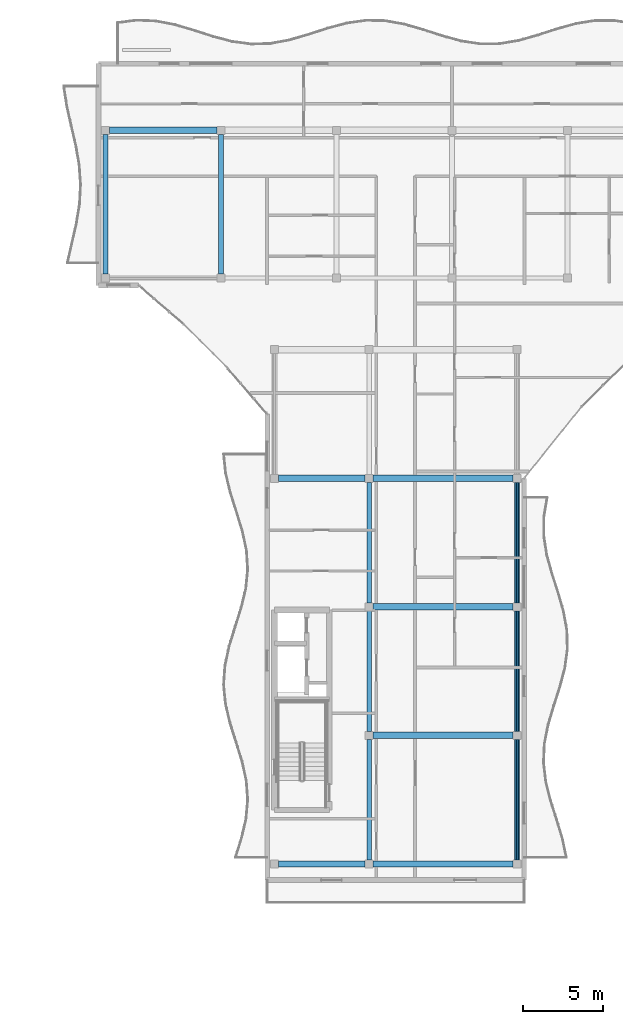
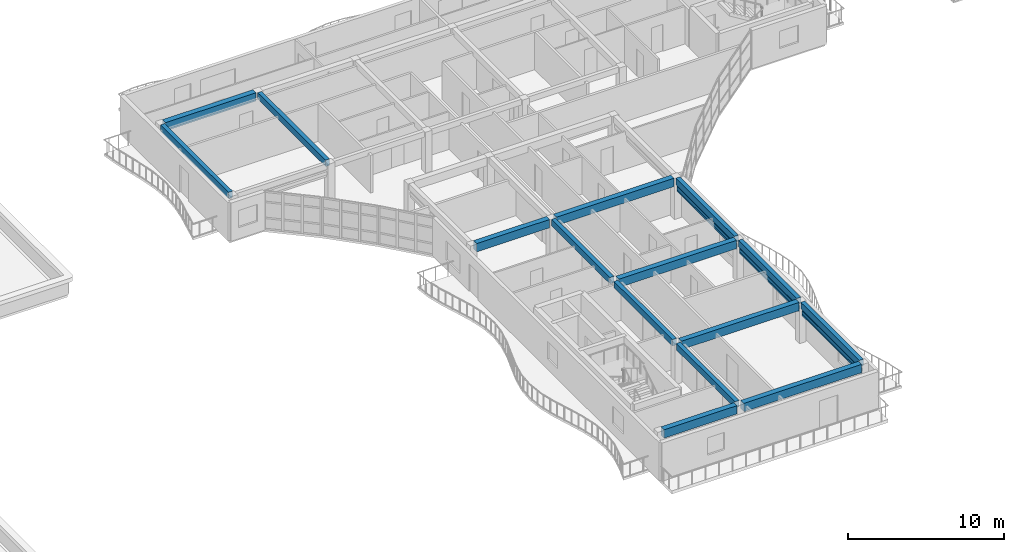
# One storey, part 4 of 39: 15 beams, 6 members.
"""IFC4 building model written with IfcOpenShell, lengths in metres."""

from ifc_helpers import new_model, si_unit, direction, frame, origin, origin_2d, place, context, subcontext, project, spatial, rectangle, hollow_rectangle, extrude, material, material_profile, profile_set, type_object, element, save


model = new_model("IFC4")

# Units and contexts
model_context = context("Model", 3, precision=1e-05, world=origin(), true_north=direction((0.0, 1.0)))
body_context = subcontext(model_context, "Body", "Model", "MODEL_VIEW")
ifc_project = project(units=[si_unit("LENGTHUNIT", "METRE"), si_unit("AREAUNIT", "SQUARE_METRE"), si_unit("VOLUMEUNIT", "CUBIC_METRE"), si_unit("PLANEANGLEUNIT", "RADIAN"), si_unit("MASSUNIT", "GRAM", prefix="KILO")], contexts=[model_context])

# Site, building, storey
site_placement = place(None, origin())
site = spatial("IfcSite", under=ifc_project, at=site_placement, CompositionType="ELEMENT")
building_placement = place(site_placement, origin())
building = spatial("IfcBuilding", under=site, at=building_placement, Name="Keldmere Railside Commons", CompositionType="ELEMENT")
storey_placement = place(building_placement, frame((0.0, 0.0, 32.9599609375)))
storey = spatial("IfcBuildingStorey", under=building, at=storey_placement, Name="L10", CompositionType="ELEMENT", Elevation=32.9599609375)

# Members
ifc_material_1 = material(Name="Steel F-36 (S355)", Category="steel")
ifc_material_profile_1 = material_profile(ifc_material_1, hollow_rectangle(XDim=0.14990234375, YDim=0.25, WallThickness=0.010009765625, at=origin_2d()), Name="RHS-250x150x10")
ifc_profile_set_1 = profile_set([ifc_material_profile_1], Name="Steel F-36 (S355)")
member_type_1 = type_object("IfcMemberType", Name="Balcony Continuous Planted Trough RHS250x150", PredefinedType="CHORD", material=ifc_profile_set_1)
for number, where, z_axis, x_axis, name in (
    (1, (119.550048828125, 64.25, 2.4150390625), (0.0, 1.0, 0.0), (-1.0, 0.0, 0.0), "PLT-1 MEM-BPLT-0987"),
    (2, (119.550048828125, 72.25, 2.4150390625), (0.0, 1.0, 0.0), (-1.0, 0.0, 0.0), "PLT-1 MEM-BPLT-0989"),
    (3, (119.550048828125, 80.25, 2.4150390625), (0.0, 1.0, 0.0), (-1.0, 0.0, 0.0), "PLT-1 MEM-BPLT-0991"),
):
    element("IfcMember", number, at=place(storey_placement, frame(where, z_axis=z_axis, x_axis=x_axis)), inside=storey, type_object=member_type_1, Name=name, PredefinedType="CHORD", context=body_context, shape_type="SweptSolid", body=[
        extrude(hollow_rectangle(XDim=0.14990234375, YDim=0.25, WallThickness=0.010009765625, at=origin_2d()), origin(), (0.0, 0.0, 1.0), 7.5),
    ])

# Beams
ifc_material_2 = material(Name="Concrete H-30 (C30/37)", Category="concrete")
ifc_material_profile_2 = material_profile(ifc_material_2, rectangle(XDim=0.39990234375, YDim=0.64990234375, at=origin_2d()), Name="RC-400x650")
ifc_profile_set_2 = profile_set([ifc_material_profile_2], Name="Concrete H-30 (C30/37)")
beam_type_1 = type_object("IfcBeamType", Name="Residential Spine RC Girder 400x650", PredefinedType="BEAM", material=ifc_profile_set_2)
beam_1_placement = place(storey_placement, frame((104.699951171875, 64.0, 2.875), z_axis=(1.0, 0.0, 0.0), x_axis=(0.0, 1.0, 0.0)))
element("IfcBeam", 4, at=beam_1_placement, inside=storey, type_object=beam_type_1, Name="BG-3 BM-L10-2367", PredefinedType="BEAM", context=body_context, shape_type="SweptSolid", body=[
    extrude(rectangle(XDim=0.39990234375, YDim=0.64990234375, at=origin_2d()), origin(), (0.0, 0.0, 1.0), 5.400146484375),
])
for number, where, z_axis, x_axis, name in (
    (5, (110.60009765625, 64.0, 2.875), (1.0, 0.0, 0.0), (0.0, 1.0, 0.0), "BG-3 BM-L10-2368"),
    (6, (110.60009765625, 72.0, 2.875), (1.0, 0.0, 0.0), (0.0, 1.0, 0.0), "BG-3 BM-L10-2371"),
    (7, (110.60009765625, 80.0, 2.875), (1.0, 0.0, 0.0), (0.0, 1.0, 0.0), "BG-3 BM-L10-2373"),
):
    element("IfcBeam", number, at=place(storey_placement, frame(where, z_axis=z_axis, x_axis=x_axis)), inside=storey, type_object=beam_type_1, Name=name, PredefinedType="BEAM", context=body_context, shape_type="SweptSolid", body=[
        extrude(rectangle(XDim=0.39990234375, YDim=0.64990234375, at=origin_2d()), origin(), (0.0, 0.0, 1.0), 8.699951171875),
    ])
beam_2_placement = place(storey_placement, frame((104.699951171875, 88.0, 2.875), z_axis=(1.0, 0.0, 0.0), x_axis=(0.0, 1.0, 0.0)))
element("IfcBeam", 8, at=beam_2_placement, inside=storey, type_object=beam_type_1, Name="BG-3 BM-L10-2375", PredefinedType="BEAM", context=body_context, shape_type="SweptSolid", body=[
    extrude(rectangle(XDim=0.39990234375, YDim=0.64990234375, at=origin_2d()), origin(), (0.0, 0.0, 1.0), 5.400146484375),
])
beam_3_placement = place(storey_placement, frame((110.60009765625, 88.0, 2.875), z_axis=(1.0, 0.0, 0.0), x_axis=(0.0, 1.0, 0.0)))
element("IfcBeam", 9, at=beam_3_placement, inside=storey, type_object=beam_type_1, Name="BG-3 BM-L10-2376", PredefinedType="BEAM", context=body_context, shape_type="SweptSolid", body=[
    extrude(rectangle(XDim=0.39990234375, YDim=0.64990234375, at=origin_2d()), origin(), (0.0, 0.0, 1.0), 8.699951171875),
])
beam_4_placement = place(storey_placement, frame((94.199951171875, 109.64990234375, 2.875), z_axis=(1.0, 0.0, 0.0), x_axis=(0.0, 1.0, 0.0)))
element("IfcBeam", 10, at=beam_4_placement, inside=storey, type_object=beam_type_1, Name="BG-3 BM-L10-2389", PredefinedType="BEAM", context=body_context, shape_type="SweptSolid", body=[
    extrude(rectangle(XDim=0.39990234375, YDim=0.64990234375, at=origin_2d()), origin(), (0.0, 0.0, 1.0), 6.68310546875),
])
ifc_material_profile_3 = material_profile(ifc_material_2, rectangle(XDim=0.300048828125, YDim=0.5, at=origin_2d()), Name="RC-300x500")
ifc_profile_set_3 = profile_set([ifc_material_profile_3], Name="Concrete H-30 (C30/37)")
beam_type_2 = type_object("IfcBeamType", Name="Secondary Frame RC Beam 300x500", PredefinedType="BEAM", material=ifc_profile_set_3)
for number, where, z_axis, x_axis, name in (
    (11, (93.949951171875, 100.699951171875, 2.949951171875), (0.0, 1.0, 0.0), (-1.0, 0.0, 0.0), "BG-5 BM-L10-2400"),
    (12, (101.133056640625, 100.699951171875, 2.949951171875), (0.0, 1.0, 0.0), (-1.0, 0.0, 0.0), "BG-5 BM-L10-2401"),
):
    element("IfcBeam", number, at=place(storey_placement, frame(where, z_axis=z_axis, x_axis=x_axis)), inside=storey, type_object=beam_type_2, Name=name, PredefinedType="BEAM", context=body_context, shape_type="SweptSolid", body=[
        extrude(rectangle(XDim=0.300048828125, YDim=0.5, at=origin_2d()), origin(), (0.0, 0.0, 1.0), 8.699951171875),
    ])
for number, where, z_axis, x_axis, name in (
    (13, (110.35009765625, 64.25, 2.949951171875), (0.0, 1.0, 0.0), (-1.0, 0.0, 0.0), "BG-5 BM-L10-2404"),
    (14, (110.35009765625, 72.25, 2.949951171875), (0.0, 1.0, 0.0), (-1.0, 0.0, 0.0), "BG-5 BM-L10-2405"),
    (15, (110.35009765625, 80.25, 2.949951171875), (0.0, 1.0, 0.0), (-1.0, 0.0, 0.0), "BG-5 BM-L10-2406"),
    (16, (119.550048828125, 64.25, 2.949951171875), (0.0, 1.0, 0.0), (-1.0, 0.0, 0.0), "BG-5 BM-L10-2409"),
    (17, (119.550048828125, 72.25, 2.949951171875), (0.0, 1.0, 0.0), (-1.0, 0.0, 0.0), "BG-5 BM-L10-2410"),
    (18, (119.550048828125, 80.25, 2.949951171875), (0.0, 1.0, 0.0), (-1.0, 0.0, 0.0), "BG-5 BM-L10-2411"),
):
    element("IfcBeam", number, at=place(storey_placement, frame(where, z_axis=z_axis, x_axis=x_axis)), inside=storey, type_object=beam_type_2, Name=name, PredefinedType="BEAM", context=body_context, shape_type="SweptSolid", body=[
        extrude(rectangle(XDim=0.300048828125, YDim=0.5, at=origin_2d()), origin(), (0.0, 0.0, 1.0), 7.5),
    ])

# Members
ifc_material_profile_4 = material_profile(ifc_material_1, hollow_rectangle(XDim=0.10009765625, YDim=0.159912109375, WallThickness=0.008056640625, at=origin_2d()), Name="RHS-160x100x8")
ifc_profile_set_4 = profile_set([ifc_material_profile_4], Name="Steel F-36 (S355)")
member_type_2 = type_object("IfcMemberType", Name="Solar Brise-Soleil Louvre Fin RHS160x100", PredefinedType="STRUT", material=ifc_profile_set_4)
for number, where, z_axis, x_axis, name in (
    (19, (119.550048828125, 64.25, 2.199951171875), (0.0, 1.0, 0.0), (-1.0, 0.0, 0.0), "BSF-1 MEM-BSF-0988"),
    (20, (119.550048828125, 72.25, 2.199951171875), (0.0, 1.0, 0.0), (-1.0, 0.0, 0.0), "BSF-1 MEM-BSF-0990"),
    (21, (119.550048828125, 80.25, 2.199951171875), (0.0, 1.0, 0.0), (-1.0, 0.0, 0.0), "BSF-1 MEM-BSF-0992"),
):
    element("IfcMember", number, at=place(storey_placement, frame(where, z_axis=z_axis, x_axis=x_axis)), inside=storey, type_object=member_type_2, Name=name, PredefinedType="STRUT", context=body_context, shape_type="SweptSolid", body=[
        extrude(hollow_rectangle(XDim=0.10009765625, YDim=0.159912109375, WallThickness=0.008056640625, at=origin_2d()), origin(), (0.0, 0.0, 1.0), 7.5),
    ])

save(model, "model.ifc")
